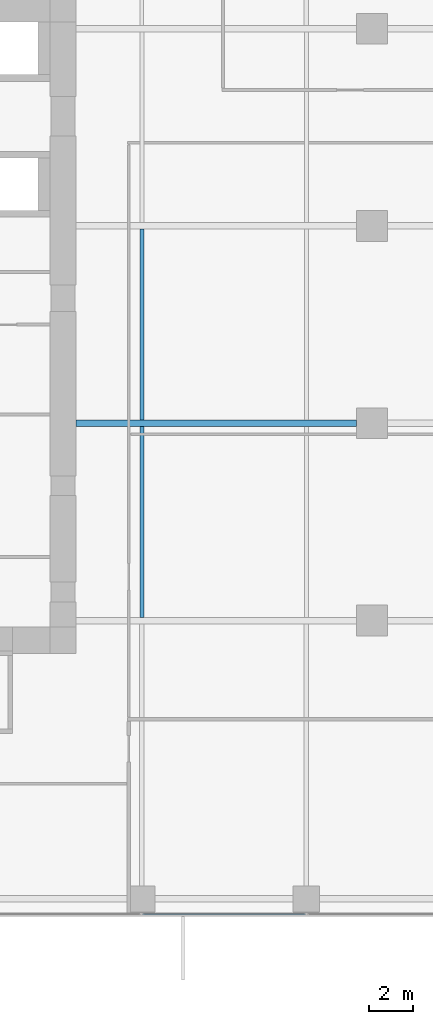
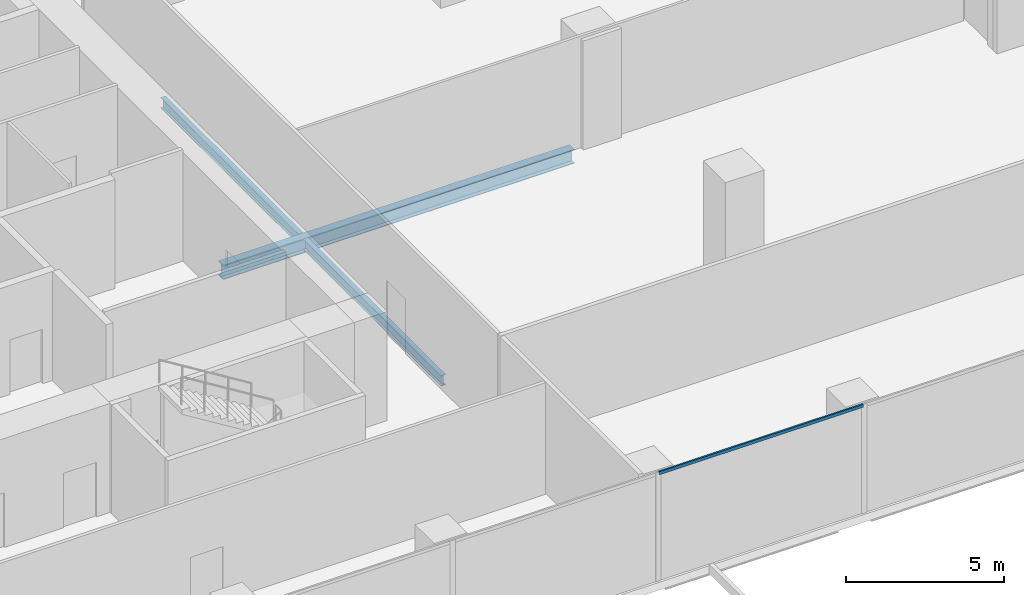
# One storey, part 6 of 33: 3 beams, 1 member, 1 element without a shape of its own.
"""IFC4 building model written with IfcOpenShell, lengths in metres."""

from ifc_helpers import new_model, si_unit, direction, frame, origin, origin_2d, place, context, subcontext, project, spatial, hollow_rectangle, i_section, extrude, source, transform, mapped, material, material_profile, profile_set, type_object, element, aggregate, save


model = new_model("IFC4")

# Units and contexts
model_context = context("Model", 3, precision=1e-05, world=origin(), true_north=direction((0.0, 1.0)))
body_context = subcontext(model_context, "Body", "Model", "MODEL_VIEW")
ifc_project = project(units=[si_unit("LENGTHUNIT", "METRE"), si_unit("AREAUNIT", "SQUARE_METRE"), si_unit("VOLUMEUNIT", "CUBIC_METRE"), si_unit("PLANEANGLEUNIT", "RADIAN"), si_unit("MASSUNIT", "GRAM", prefix="KILO")], contexts=[model_context])

# Site, building, storey
site_placement = place(None, origin())
site = spatial("IfcSite", under=ifc_project, at=site_placement, CompositionType="ELEMENT")
building_placement = place(site_placement, origin())
building = spatial("IfcBuilding", under=site, at=building_placement, Name="Khomas Fold Tower", CompositionType="ELEMENT")
storey_placement = place(building_placement, frame((0.0, 0.0, 78.0)))
storey = spatial("IfcBuildingStorey", under=building, at=storey_placement, Name="L16", CompositionType="ELEMENT", Elevation=78.0)

# Beams
ifc_material_1 = material(Name="Steel S355", Category="steel")
ifc_material_profile_1 = material_profile(ifc_material_1, i_section(OverallWidth=0.300048828125, OverallDepth=0.550048828125, WebThickness=0.014892578125, FlangeThickness=0.029052734375, at=origin_2d()), Name="HE 550 B")
ifc_profile_set_1 = profile_set([ifc_material_profile_1], Name="Steel S355")
beam_type_1 = type_object("IfcBeamType", Name="HE 550 B beam GB4", PredefinedType="BEAM", material=ifc_profile_set_1)
shared_shape_1 = source(origin(), body_context, "Body", "SweptSolid", [
    extrude(i_section(OverallWidth=0.300048828125, OverallDepth=0.550048828125, WebThickness=0.014892578125, FlangeThickness=0.029052734375, at=origin_2d()), origin(), (0.0, 0.0, 1.0), 12.800048828125),
])
beam_placement = place(storey_placement, frame((24.0, 22.5, -0.574951171875), z_axis=(1.0, 0.0, 0.0), x_axis=(0.0, 1.0, 0.0)))
element("IfcBeam", 1, at=beam_placement, inside=storey, type_object=beam_type_1, Name="GB4", PredefinedType="BEAM", context=body_context, shape_type="MappedRepresentation", body=[
    mapped(shared_shape_1, transform((0.0, 0.0, 0.0))),
])
ifc_material_2 = material(Name="Steel S355", Category="steel")
ifc_material_profile_2 = material_profile(ifc_material_2, i_section(OverallWidth=0.179931640625, OverallDepth=0.39990234375, WebThickness=0.008544921875, FlangeThickness=0.013427734375, at=origin_2d()), Name="IPE 400")
ifc_profile_set_2 = profile_set([ifc_material_profile_2], Name="Steel S355")
beam_type_2 = type_object("IfcBeamType", Name="IPE 400 beam JB3", PredefinedType="BEAM", material=ifc_profile_set_2)
shared_shape_2 = source(origin(), body_context, "Body", "SweptSolid", [
    extrude(i_section(OverallWidth=0.179931640625, OverallDepth=0.39990234375, WebThickness=0.008544921875, FlangeThickness=0.013427734375, at=origin_2d()), origin(), (0.0, 0.0, 1.0), 8.7001953125),
])
for number, where, z_axis, x_axis, name in (
    (2, (27.0, 13.64990234375, -0.5), (0.0, 1.0, 0.0), (-1.0, 0.0, 0.0), "JB3"),
    (3, (27.0, 22.64990234375, -0.5), (0.0, 1.0, 0.0), (-1.0, 0.0, 0.0), "JB3"),
):
    element("IfcBeam", number, at=place(storey_placement, frame(where, z_axis=z_axis, x_axis=x_axis)), inside=storey, type_object=beam_type_2, Name=name, PredefinedType="BEAM", context=body_context, shape_type="MappedRepresentation", body=[
        mapped(shared_shape_2, transform((0.0, 0.0, 0.0))),
    ])

# Curtain wall, member
ifc_material_3 = material(Name="Aluminium framed double glazing", Category="aluminium")
curtain_wall_type = type_object("IfcCurtainWallType", Name="SK-Unitised clear-glass wall, growing floors CW1", PredefinedType="NOTDEFINED", material=ifc_material_3)
curtain_wall_placement = place(storey_placement, origin())
curtain_wall = element("IfcCurtainWall", 4, at=curtain_wall_placement, inside=storey, type_object=curtain_wall_type, Name="CW1 run L16 00-0", PredefinedType="NOTDEFINED")
ifc_material_4 = material(Name="Aluminium", Category="aluminium")
ifc_material_profile_3 = material_profile(ifc_material_4, hollow_rectangle(XDim=0.06005859375, YDim=0.1201171875, WallThickness=0.00390625, at=origin_2d()), Name="SK-Unitised clear-glass wall, growing floors transom CW1-T")
ifc_profile_set_3 = profile_set([ifc_material_profile_3], Name="Aluminium")
member_type = type_object("IfcMemberType", Name="SK-Unitised clear-glass wall, growing floors transom CW1-T", PredefinedType="USERDEFINED", material=ifc_profile_set_3)
shared_shape_3 = source(origin(), body_context, "Body", "SweptSolid", [
    extrude(hollow_rectangle(XDim=0.06005859375, YDim=0.1201171875, WallThickness=0.00390625, at=origin_2d()), origin(), (0.0, 0.0, 1.0), 7.43994140625),
])
member_placement = place(storey_placement, frame((27.030029296875, 0.10009765625, 4.139892578125), z_axis=(1.0, 0.0, 0.0), x_axis=(0.0, 1.0, 0.0)))
member = element("IfcMember", 5, at=member_placement, type_object=member_type, Name="CW1 transom 5", ObjectType="TRANSOM", PredefinedType="USERDEFINED", context=body_context, shape_type="MappedRepresentation", body=[
    mapped(shared_shape_3, transform((0.0, 0.0, 0.0))),
])
aggregate(curtain_wall, [member])

save(model, "model.ifc")
